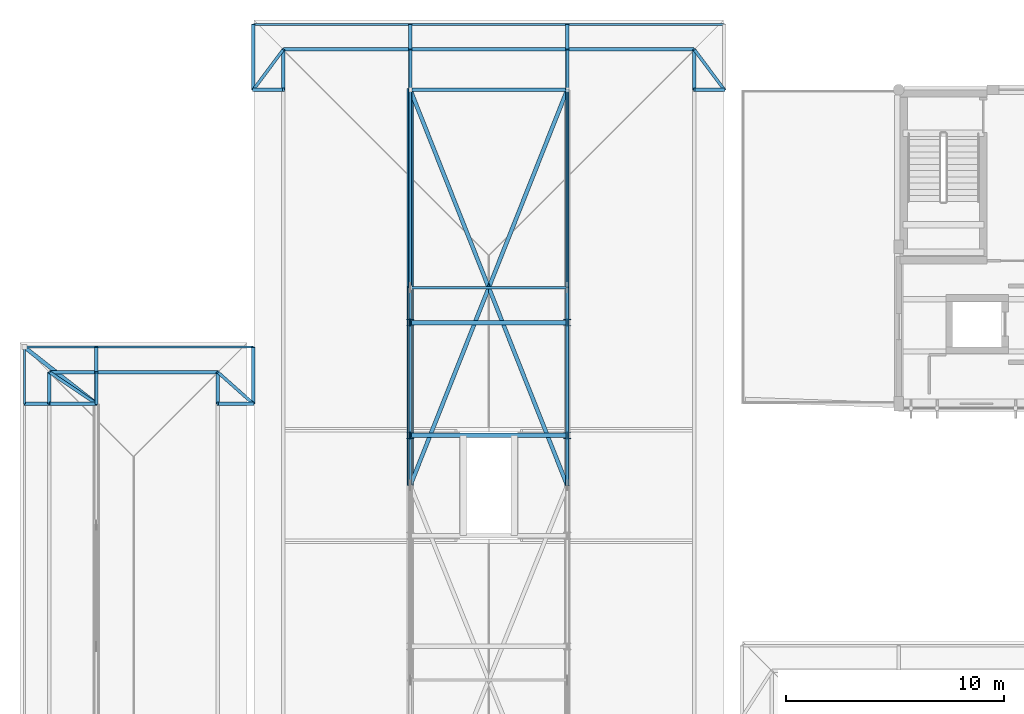
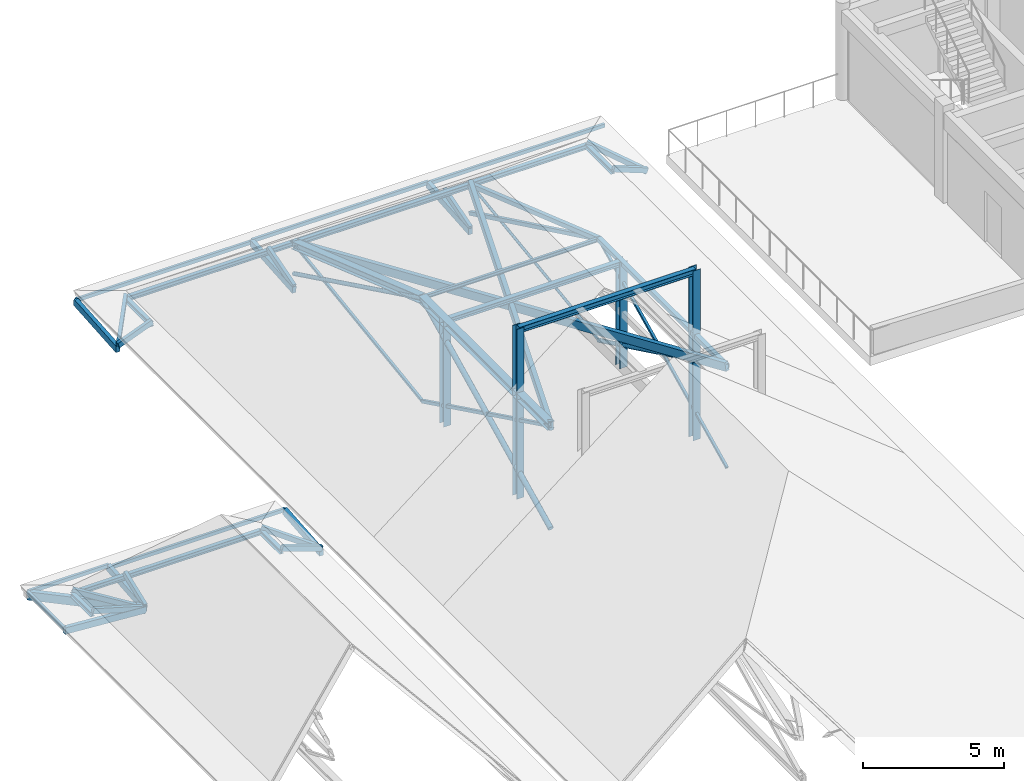
# One storey, part 11 of 51: 53 members, 2 beams.
"""IFC4 building model written with IfcOpenShell, lengths in metres."""

from ifc_helpers import new_model, si_unit, direction, frame, origin, origin_2d, place, context, subcontext, project, spatial, rectangle, hollow_rectangle, hollow_circle, i_section, extrude, material, material_profile, profile_set, type_object, element, save


model = new_model("IFC4")

# Units and contexts
model_context = context("Model", 3, precision=1e-05, world=origin(), true_north=direction((0.0, 1.0)))
body_context = subcontext(model_context, "Body", "Model", "MODEL_VIEW")
ifc_project = project(units=[si_unit("LENGTHUNIT", "METRE"), si_unit("AREAUNIT", "SQUARE_METRE"), si_unit("VOLUMEUNIT", "CUBIC_METRE"), si_unit("PLANEANGLEUNIT", "RADIAN"), si_unit("MASSUNIT", "GRAM", prefix="KILO")], contexts=[model_context])

# Site, building, storey
site_placement = place(None, origin())
site = spatial("IfcSite", under=ifc_project, at=site_placement, CompositionType="ELEMENT")
building_placement = place(site_placement, origin())
building = spatial("IfcBuilding", under=site, at=building_placement, Name="Steenspoor Specialist Clinic", CompositionType="ELEMENT")
storey_placement = place(building_placement, frame((0.0, 0.0, 17.39990234375)))
storey = spatial("IfcBuildingStorey", under=building, at=storey_placement, Name="L04", CompositionType="ELEMENT", Elevation=17.39990234375)

# Beams
ifc_material_1 = material(Name="Steel A992 Grade 50", Category="steel")
ifc_material_profile_1 = material_profile(ifc_material_1, i_section(OverallWidth=0.2041015625, OverallDepth=0.2060546875, WebThickness=0.0078125, FlangeThickness=0.0126953125, at=origin_2d()), Name="W200X52")
ifc_profile_set_1 = profile_set([ifc_material_profile_1], Name="Steel A992 Grade 50")
beam_type_1 = type_object("IfcBeamType", Name="BM-ST-W200X52", PredefinedType="JOIST", material=ifc_profile_set_1)
beam_1_placement = place(storey_placement, frame((37.199951171875, 97.674072265625, 4.6484375), z_axis=(1.0, 0.0, 0.0), x_axis=(0.0, 1.0, 0.0)))
element("IfcBeam", 1, at=beam_1_placement, inside=storey, type_object=beam_type_1, Name="Roof Sub-Facet Bearer V5 M N", PredefinedType="JOIST", context=body_context, shape_type="SweptSolid", body=[
    extrude(i_section(OverallWidth=0.2041015625, OverallDepth=0.2060546875, WebThickness=0.0078125, FlangeThickness=0.0126953125, at=origin_2d()), origin(), (0.0, 0.0, 1.0), 7.199951171875),
])
ifc_material_profile_2 = material_profile(ifc_material_1, i_section(OverallWidth=0.202880859375, OverallDepth=0.251953125, WebThickness=0.008056640625, FlangeThickness=0.013427734375, at=origin_2d()), Name="W250X58")
ifc_profile_set_2 = profile_set([ifc_material_profile_2], Name="Steel A992 Grade 50")
beam_type_2 = type_object("IfcBeamType", Name="BM-ST-W250X58", PredefinedType="JOIST", material=ifc_profile_set_2)
beam_2_placement = place(storey_placement, frame((37.199951171875, 92.5, 7.4140625), z_axis=(1.0, 0.0, 0.0), x_axis=(0.0, 1.0, 0.0)))
element("IfcBeam", 2, at=beam_2_placement, inside=storey, type_object=beam_type_2, Name="Roof Curb Trimmer Beam V5 2", PredefinedType="JOIST", context=body_context, shape_type="SweptSolid", body=[
    extrude(i_section(OverallWidth=0.202880859375, OverallDepth=0.251953125, WebThickness=0.008056640625, FlangeThickness=0.013427734375, at=origin_2d()), origin(), (0.0, 0.0, 1.0), 7.199951171875),
])

# Members
ifc_material_2 = material(Name="Steel A500 Grade C", Category="steel")
ifc_material_profile_3 = material_profile(ifc_material_2, hollow_circle(Radius=0.084228515625, WallThickness=0.007080078125, at=origin_2d()), Name="CHS168X7.1")
ifc_profile_set_3 = profile_set([ifc_material_profile_3], Name="Steel A500 Grade C")
member_type_1 = type_object("IfcMemberType", Name="MEM-BRACE-CHS168", PredefinedType="BRACE", material=ifc_profile_set_3)
member_1_placement = place(storey_placement, frame((37.199951171875, 99.27490234375, 4.630859375), z_axis=(0.0, 0.898479501185, -0.439015473475), x_axis=(-1.0, 0.0, 0.0)))
element("IfcMember", 3, at=member_1_placement, inside=storey, type_object=member_type_1, Name="ROOF TRUSS Web Brace V5 2.4", PredefinedType="BRACE", context=body_context, shape_type="SweptSolid", body=[
    extrude(hollow_circle(Radius=0.084228515625, WallThickness=0.007080078125, at=origin_2d()), origin(), (0.0, 0.0, 1.0), 10.1005859375),
])
member_2_placement = place(storey_placement, frame((44.39990234375, 90.199951171875, 4.681884765625), z_axis=(0.0, 0.900519581243, -0.434815459475), x_axis=(-1.0, 0.0, 0.0)))
element("IfcMember", 4, at=member_2_placement, inside=storey, type_object=member_type_1, Name="ROOF TRUSS Web Brace V5 3.3", PredefinedType="BRACE", context=body_context, shape_type="SweptSolid", body=[
    extrude(hollow_circle(Radius=0.084228515625, WallThickness=0.007080078125, at=origin_2d()), origin(), (0.0, 0.0, 1.0), 10.077392578125),
])
ifc_material_profile_4 = material_profile(ifc_material_2, hollow_rectangle(XDim=0.126953125, YDim=0.126953125, WallThickness=0.005859375, at=origin_2d()), Name="HSS127X127X6.4")
ifc_profile_set_4 = profile_set([ifc_material_profile_4], Name="Steel A500 Grade C")
member_type_2 = type_object("IfcMemberType", Name="MEM-BRACE-H127B", PredefinedType="BRACE", material=ifc_profile_set_4)
member_3_placement = place(storey_placement, frame((37.199951171875, 90.199951171875, 4.630859375), z_axis=(0.0, 0.898474842471, -0.439025007769), x_axis=(-1.0, 0.0, 0.0)))
element("IfcMember", 5, at=member_3_placement, inside=storey, type_object=member_type_2, Name="ROOF TRUSS Web Brace V5 2.3", PredefinedType="BRACE", context=body_context, shape_type="SweptSolid", body=[
    extrude(hollow_rectangle(XDim=0.126953125, YDim=0.126953125, WallThickness=0.005859375, at=origin_2d()), origin(), (0.0, 0.0, 1.0), 10.100341796875),
])
ifc_material_profile_5 = material_profile(ifc_material_2, hollow_rectangle(XDim=0.15234375, YDim=0.15234375, WallThickness=0.0087890625, at=origin_2d()), Name="HSS152X152X9.5")
ifc_profile_set_5 = profile_set([ifc_material_profile_5], Name="Steel A500 Grade C")
member_type_3 = type_object("IfcMemberType", Name="MEM-BRACE-H152", PredefinedType="BRACE", material=ifc_profile_set_5)
member_4_placement = place(storey_placement, frame((44.39990234375, 99.27490234375, 4.681884765625), z_axis=(0.0, 0.900524161445, -0.434805973572), x_axis=(-1.0, 0.0, 0.0)))
element("IfcMember", 6, at=member_4_placement, inside=storey, type_object=member_type_3, Name="ROOF TRUSS Web Brace V5 3.4", PredefinedType="BRACE", context=body_context, shape_type="SweptSolid", body=[
    extrude(hollow_rectangle(XDim=0.15234375, YDim=0.15234375, WallThickness=0.0087890625, at=origin_2d()), origin(), (0.0, 0.0, 1.0), 10.07763671875),
])
ifc_material_profile_6 = material_profile(ifc_material_2, hollow_rectangle(XDim=0.177734375, YDim=0.177734375, WallThickness=0.0087890625, at=origin_2d()), Name="HSS178X178X9.5")
ifc_profile_set_6 = profile_set([ifc_material_profile_6], Name="Steel A500 Grade C")
member_type_4 = type_object("IfcMemberType", Name="MEM-CHORD-H178", PredefinedType="CHORD", material=ifc_profile_set_6)
member_5_placement = place(storey_placement, frame((44.39990234375, 90.199951171875, 4.681884765625), z_axis=(0.0, 1.0, 0.0), x_axis=(-1.0, 0.0, 0.0)))
element("IfcMember", 7, at=member_5_placement, inside=storey, type_object=member_type_4, Name="ROOF TRUSS Top Chord V5 3.3", PredefinedType="CHORD", context=body_context, shape_type="SweptSolid", body=[
    extrude(hollow_rectangle(XDim=0.177734375, YDim=0.177734375, WallThickness=0.0087890625, at=origin_2d()), origin(), (0.0, 0.0, 1.0), 9.074951171875),
])
member_6_placement = place(storey_placement, frame((44.39990234375, 99.27490234375, 4.681884765625), z_axis=(0.0, 0.944854237259, -0.327491175962), x_axis=(-1.0, 0.0, 0.0)))
element("IfcMember", 8, at=member_6_placement, inside=storey, type_object=member_type_4, Name="ROOF TRUSS Top Chord V5 3.4", PredefinedType="CHORD", context=body_context, shape_type="SweptSolid", body=[
    extrude(hollow_rectangle(XDim=0.177734375, YDim=0.177734375, WallThickness=0.0087890625, at=origin_2d()), origin(), (0.0, 0.0, 1.0), 9.60498046875),
])
ifc_material_profile_7 = material_profile(ifc_material_1, i_section(OverallWidth=0.304931640625, OverallDepth=0.30810546875, WebThickness=0.010009765625, FlangeThickness=0.015380859375, at=origin_2d()), Name="W310X97")
ifc_profile_set_7 = profile_set([ifc_material_profile_7], Name="Steel A992 Grade 50")
member_type_5 = type_object("IfcMemberType", Name="MEM-CHORD-W310", PredefinedType="CHORD", material=ifc_profile_set_7)
member_7_placement = place(storey_placement, frame((37.199951171875, 90.199951171875, 4.630859375), z_axis=(0.0, 1.0, 0.0), x_axis=(-1.0, 0.0, 0.0)))
element("IfcMember", 9, at=member_7_placement, inside=storey, type_object=member_type_5, Name="ROOF TRUSS Top Chord V5 2.3", PredefinedType="CHORD", context=body_context, shape_type="SweptSolid", body=[
    extrude(i_section(OverallWidth=0.304931640625, OverallDepth=0.30810546875, WebThickness=0.010009765625, FlangeThickness=0.015380859375, at=origin_2d()), origin(), (0.0, 0.0, 1.0), 9.074951171875),
])
member_8_placement = place(storey_placement, frame((37.199951171875, 99.27490234375, 4.630859375), z_axis=(0.0, 0.944854237259, -0.327491175962), x_axis=(-1.0, 0.0, 0.0)))
element("IfcMember", 10, at=member_8_placement, inside=storey, type_object=member_type_5, Name="ROOF TRUSS Top Chord V5 2.4", PredefinedType="CHORD", context=body_context, shape_type="SweptSolid", body=[
    extrude(i_section(OverallWidth=0.304931640625, OverallDepth=0.30810546875, WebThickness=0.010009765625, FlangeThickness=0.015380859375, at=origin_2d()), origin(), (0.0, 0.0, 1.0), 9.60498046875),
])
for number, where, z_axis, x_axis, name in (
    (11, (37.199951171875, 92.5, 0.2001953125), (0.0, 0.0, 1.0), (1.0, 0.0, 0.0), "ROOF TRUSS Web Post Curb V5 2L"),
    (12, (44.39990234375, 92.5, 0.2001953125), (0.0, 0.0, 1.0), (1.0, 0.0, 0.0), "ROOF TRUSS Web Post Curb V5 2R"),
):
    element("IfcMember", number, at=place(storey_placement, frame(where, z_axis=z_axis, x_axis=x_axis)), inside=storey, type_object=member_type_5, Name=name, PredefinedType="CHORD", context=body_context, shape_type="SweptSolid", body=[
        extrude(i_section(OverallWidth=0.304931640625, OverallDepth=0.30810546875, WebThickness=0.010009765625, FlangeThickness=0.015380859375, at=origin_2d()), origin(), (0.0, 0.0, 1.0), 7.333984375),
    ])
member_9_placement = place(storey_placement, frame((37.199951171875, 97.674072265625, 0.18017578125), z_axis=(0.0, 0.0, 1.0), x_axis=(1.0, 0.0, 0.0)))
element("IfcMember", 13, at=member_9_placement, inside=storey, type_object=member_type_5, Name="ROOF TRUSS Web Post Sub-Facet V5 MNL", PredefinedType="CHORD", context=body_context, shape_type="SweptSolid", body=[
    extrude(i_section(OverallWidth=0.304931640625, OverallDepth=0.30810546875, WebThickness=0.010009765625, FlangeThickness=0.015380859375, at=origin_2d()), origin(), (0.0, 0.0, 1.0), 4.54833984375),
])
member_10_placement = place(storey_placement, frame((44.39990234375, 97.674072265625, 0.18017578125), z_axis=(0.0, 0.0, 1.0), x_axis=(1.0, 0.0, 0.0)))
element("IfcMember", 14, at=member_10_placement, inside=storey, type_object=member_type_5, Name="ROOF TRUSS Web Post Sub-Facet V5 MNR", PredefinedType="CHORD", context=body_context, shape_type="SweptSolid", body=[
    extrude(i_section(OverallWidth=0.304931640625, OverallDepth=0.30810546875, WebThickness=0.010009765625, FlangeThickness=0.015380859375, at=origin_2d()), origin(), (0.0, 0.0, 1.0), 4.58154296875),
])
ifc_material_profile_8 = material_profile(ifc_material_2, hollow_rectangle(XDim=0.1015625, YDim=0.15234375, WallThickness=0.005859375, at=origin_2d()), Name="HSS152X102X6.4")
ifc_profile_set_8 = profile_set([ifc_material_profile_8], Name="Steel A500 Grade C")
member_type_6 = type_object("IfcMemberType", Name="MEM-PURLIN-H152", PredefinedType="PURLIN", material=ifc_profile_set_8)
for number, where, z_axis, x_axis, name in (
    (15, (30.0, 111.35009765625, -0.2431640625), (1.0, 0.0, 0.0), (0.0, 1.0, 0.0), "ROOF TRUSS Eave Fascia 428"),
    (16, (37.199951171875, 111.35009765625, -0.19482421875), (1.0, 0.0, 0.0), (0.0, 1.0, 0.0), "ROOF TRUSS Eave Fascia 429"),
):
    element("IfcMember", number, at=place(storey_placement, frame(where, z_axis=z_axis, x_axis=x_axis)), inside=storey, type_object=member_type_6, Name=name, PredefinedType="PURLIN", context=body_context, shape_type="SweptSolid", body=[
        extrude(hollow_rectangle(XDim=0.1015625, YDim=0.15234375, WallThickness=0.005859375, at=origin_2d()), origin(), (0.0, 0.0, 1.0), 7.199951171875),
    ])
member_11_placement = place(storey_placement, frame((44.39990234375, 111.35009765625, -0.2431640625), z_axis=(1.0, 0.0, 0.0), x_axis=(0.0, 1.0, 0.0)))
element("IfcMember", 17, at=member_11_placement, inside=storey, type_object=member_type_6, Name="ROOF TRUSS Eave Fascia 430", PredefinedType="PURLIN", context=body_context, shape_type="SweptSolid", body=[
    extrude(hollow_rectangle(XDim=0.1015625, YDim=0.15234375, WallThickness=0.005859375, at=origin_2d()), origin(), (0.0, 0.0, 1.0), 7.2001953125),
])
member_12_placement = place(storey_placement, frame((19.5, 96.550048828125, -0.19482421875), z_axis=(1.0, 0.0, 0.0), x_axis=(0.0, 1.0, 0.0)))
element("IfcMember", 18, at=member_12_placement, inside=storey, type_object=member_type_6, Name="ROOF TRUSS Eave Fascia 453", PredefinedType="PURLIN", context=body_context, shape_type="SweptSolid", body=[
    extrude(hollow_rectangle(XDim=0.1015625, YDim=0.15234375, WallThickness=0.005859375, at=origin_2d()), origin(), (0.0, 0.0, 1.0), 3.300048828125),
])
member_13_placement = place(storey_placement, frame((22.800048828125, 96.550048828125, -0.305419921875), z_axis=(1.0, 0.0, 0.0), x_axis=(0.0, 1.0, 0.0)))
element("IfcMember", 19, at=member_13_placement, inside=storey, type_object=member_type_6, Name="ROOF TRUSS Eave Fascia 454", PredefinedType="PURLIN", context=body_context, shape_type="SweptSolid", body=[
    extrude(hollow_rectangle(XDim=0.1015625, YDim=0.15234375, WallThickness=0.005859375, at=origin_2d()), origin(), (0.0, 0.0, 1.0), 7.199951171875),
])
member_14_placement = place(storey_placement, frame((19.5, 93.949951171875, -0.19482421875), z_axis=(0.0, 1.0, 0.0), x_axis=(-1.0, 0.0, 0.0)))
element("IfcMember", 20, at=member_14_placement, inside=storey, type_object=member_type_6, Name="ROOF TRUSS Eave Fascia 457", PredefinedType="PURLIN", context=body_context, shape_type="SweptSolid", body=[
    extrude(hollow_rectangle(XDim=0.1015625, YDim=0.15234375, WallThickness=0.005859375, at=origin_2d()), origin(), (0.0, 0.0, 1.0), 2.60009765625),
])
ifc_material_profile_9 = material_profile(ifc_material_1, i_section(OverallWidth=0.10205078125, OverallDepth=0.159912109375, WebThickness=0.006591796875, FlangeThickness=0.01025390625, at=origin_2d()), Name="W150X24")
ifc_profile_set_9 = profile_set([ifc_material_profile_9], Name="Steel A992 Grade 50")
member_type_7 = type_object("IfcMemberType", Name="MEM-PURLIN-W150", PredefinedType="PURLIN", material=ifc_profile_set_9)
member_15_placement = place(storey_placement, frame((37.199951171875, 99.27490234375, 4.67138671875), z_axis=(1.0, 0.0, 0.0), x_axis=(0.0, 1.0, 0.0)))
element("IfcMember", 21, at=member_15_placement, inside=storey, type_object=member_type_7, Name="ROOF TRUSS Purlin 445", PredefinedType="PURLIN", context=body_context, shape_type="SweptSolid", body=[
    extrude(i_section(OverallWidth=0.10205078125, OverallDepth=0.159912109375, WebThickness=0.006591796875, FlangeThickness=0.01025390625, at=origin_2d()), origin(), (0.0, 0.0, 1.0), 7.199951171875),
])
ifc_material_profile_10 = material_profile(ifc_material_1, i_section(OverallWidth=0.1650390625, OverallDepth=0.200927734375, WebThickness=0.006103515625, FlangeThickness=0.01025390625, at=origin_2d()), Name="W200X36")
ifc_profile_set_10 = profile_set([ifc_material_profile_10], Name="Steel A992 Grade 50")
member_type_8 = type_object("IfcMemberType", Name="MEM-PURLIN-W200", PredefinedType="PURLIN", material=ifc_profile_set_10)
member_16_placement = place(storey_placement, frame((31.3798828125, 110.199951171875, 0.041748046875), z_axis=(1.0, 0.0, 0.0), x_axis=(0.0, 1.0, 0.0)))
element("IfcMember", 22, at=member_16_placement, inside=storey, type_object=member_type_8, Name="ROOF TRUSS Knuckle Purlin 432", PredefinedType="PURLIN", context=body_context, shape_type="SweptSolid", body=[
    extrude(i_section(OverallWidth=0.1650390625, OverallDepth=0.200927734375, WebThickness=0.006103515625, FlangeThickness=0.01025390625, at=origin_2d()), origin(), (0.0, 0.0, 1.0), 5.820068359375),
])
member_17_placement = place(storey_placement, frame((37.199951171875, 110.199951171875, 0.041748046875), z_axis=(1.0, 0.0, 0.0), x_axis=(0.0, 1.0, 0.0)))
element("IfcMember", 23, at=member_17_placement, inside=storey, type_object=member_type_8, Name="ROOF TRUSS Knuckle Purlin 434", PredefinedType="PURLIN", context=body_context, shape_type="SweptSolid", body=[
    extrude(i_section(OverallWidth=0.1650390625, OverallDepth=0.200927734375, WebThickness=0.006103515625, FlangeThickness=0.01025390625, at=origin_2d()), origin(), (0.0, 0.0, 1.0), 7.199951171875),
])
member_18_placement = place(storey_placement, frame((44.39990234375, 110.199951171875, 0.041748046875), z_axis=(1.0, 0.0, 0.0), x_axis=(0.0, 1.0, 0.0)))
element("IfcMember", 24, at=member_18_placement, inside=storey, type_object=member_type_8, Name="ROOF TRUSS Knuckle Purlin 436", PredefinedType="PURLIN", context=body_context, shape_type="SweptSolid", body=[
    extrude(i_section(OverallWidth=0.1650390625, OverallDepth=0.200927734375, WebThickness=0.006103515625, FlangeThickness=0.01025390625, at=origin_2d()), origin(), (0.0, 0.0, 1.0), 5.820068359375),
])
for number, where, z_axis, x_axis, name in (
    (25, (31.3798828125, 108.35009765625, 0.041748046875), (0.0, 1.0, 0.0), (-1.0, 0.0, 0.0), "ROOF TRUSS Knuckle Purlin 439"),
    (26, (50.219970703125, 108.35009765625, 0.041748046875), (0.0, 1.0, 0.0), (-1.0, 0.0, 0.0), "ROOF TRUSS Knuckle Purlin 442"),
):
    element("IfcMember", number, at=place(storey_placement, frame(where, z_axis=z_axis, x_axis=x_axis)), inside=storey, type_object=member_type_8, Name=name, PredefinedType="PURLIN", context=body_context, shape_type="SweptSolid", body=[
        extrude(i_section(OverallWidth=0.1650390625, OverallDepth=0.200927734375, WebThickness=0.006103515625, FlangeThickness=0.01025390625, at=origin_2d()), origin(), (0.0, 0.0, 1.0), 1.849853515625),
    ])
member_19_placement = place(storey_placement, frame((37.199951171875, 108.35009765625, 1.505615234375), z_axis=(1.0, 0.0, 0.0), x_axis=(0.0, 1.0, 0.0)))
element("IfcMember", 27, at=member_19_placement, inside=storey, type_object=member_type_8, Name="ROOF TRUSS Purlin 446", PredefinedType="PURLIN", context=body_context, shape_type="SweptSolid", body=[
    extrude(i_section(OverallWidth=0.1650390625, OverallDepth=0.200927734375, WebThickness=0.006103515625, FlangeThickness=0.01025390625, at=origin_2d()), origin(), (0.0, 0.0, 1.0), 7.199951171875),
])
member_20_placement = place(storey_placement, frame((20.64990234375, 95.39990234375, 0.015380859375), z_axis=(1.0, 0.0, 0.0), x_axis=(0.0, 1.0, 0.0)))
element("IfcMember", 28, at=member_20_placement, inside=storey, type_object=member_type_8, Name="ROOF TRUSS Knuckle Purlin 459", PredefinedType="PURLIN", context=body_context, shape_type="SweptSolid", body=[
    extrude(i_section(OverallWidth=0.1650390625, OverallDepth=0.200927734375, WebThickness=0.006103515625, FlangeThickness=0.01025390625, at=origin_2d()), origin(), (0.0, 0.0, 1.0), 2.150146484375),
])
member_21_placement = place(storey_placement, frame((22.800048828125, 95.39990234375, 0.015380859375), z_axis=(1.0, 0.0, 0.0), x_axis=(0.0, 1.0, 0.0)))
element("IfcMember", 29, at=member_21_placement, inside=storey, type_object=member_type_8, Name="ROOF TRUSS Knuckle Purlin 461", PredefinedType="PURLIN", context=body_context, shape_type="SweptSolid", body=[
    extrude(i_section(OverallWidth=0.1650390625, OverallDepth=0.200927734375, WebThickness=0.006103515625, FlangeThickness=0.01025390625, at=origin_2d()), origin(), (0.0, 0.0, 1.0), 5.570068359375),
])
for number, where, z_axis, x_axis, name in (
    (30, (20.64990234375, 93.949951171875, 0.015380859375), (0.0, 1.0, 0.0), (-1.0, 0.0, 0.0), "ROOF TRUSS Knuckle Purlin 464"),
    (31, (28.3701171875, 93.949951171875, 0.015380859375), (0.0, 1.0, 0.0), (-1.0, 0.0, 0.0), "ROOF TRUSS Knuckle Purlin 467"),
):
    element("IfcMember", number, at=place(storey_placement, frame(where, z_axis=z_axis, x_axis=x_axis)), inside=storey, type_object=member_type_8, Name=name, PredefinedType="PURLIN", context=body_context, shape_type="SweptSolid", body=[
        extrude(i_section(OverallWidth=0.1650390625, OverallDepth=0.200927734375, WebThickness=0.006103515625, FlangeThickness=0.01025390625, at=origin_2d()), origin(), (0.0, 0.0, 1.0), 1.449951171875),
    ])
ifc_material_3 = material(Name="Glulam GL28h", Category="wood")
ifc_material_profile_11 = material_profile(ifc_material_3, rectangle(XDim=0.139892578125, YDim=0.219970703125, at=origin_2d()), Name="GL28H-140X220")
ifc_profile_set_11 = profile_set([ifc_material_profile_11], Name="Glulam GL28h")
member_type_9 = type_object("IfcMemberType", Name="MEM-RAFTER-GL220", PredefinedType="RAFTER", material=ifc_profile_set_11)
for number, where, z_axis, x_axis, name in (
    (32, (37.199951171875, 108.35009765625, -0.365234375), (0.0, 0.959657419962, 0.281171898154), (-1.0, 0.0, 0.0), "ROOF TRUSS Knuckle Rafter V5 277"),
    (33, (44.39990234375, 108.35009765625, -0.365234375), (0.0, 0.959657419962, 0.281171898154), (-1.0, 0.0, 0.0), "ROOF TRUSS Knuckle Rafter V5 281"),
):
    element("IfcMember", number, at=place(storey_placement, frame(where, z_axis=z_axis, x_axis=x_axis)), inside=storey, type_object=member_type_9, Name=name, PredefinedType="RAFTER", context=body_context, shape_type="SweptSolid", body=[
        extrude(rectangle(XDim=0.139892578125, YDim=0.219970703125, at=origin_2d()), origin(), (0.0, 0.0, 1.0), 1.927734375),
    ])
member_22_placement = place(storey_placement, frame((30.0, 108.35009765625, -0.358154296875), z_axis=(0.932394214895, 0.0, 0.361442980332), x_axis=(0.0, 1.0, 0.0)))
element("IfcMember", 34, at=member_22_placement, inside=storey, type_object=member_type_9, Name="ROOF TRUSS Knuckle Rafter V5 285", PredefinedType="RAFTER", context=body_context, shape_type="SweptSolid", body=[
    extrude(rectangle(XDim=0.139892578125, YDim=0.219970703125, at=origin_2d()), origin(), (0.0, 0.0, 1.0), 1.47998046875),
])
member_23_placement = place(storey_placement, frame((51.60009765625, 108.35009765625, -0.358154296875), z_axis=(-0.932415761399, 0.0, 0.361387393105), x_axis=(0.0, -1.0, 0.0)))
element("IfcMember", 35, at=member_23_placement, inside=storey, type_object=member_type_9, Name="ROOF TRUSS Knuckle Rafter V5 287", PredefinedType="RAFTER", context=body_context, shape_type="SweptSolid", body=[
    extrude(rectangle(XDim=0.139892578125, YDim=0.219970703125, at=origin_2d()), origin(), (0.0, 0.0, 1.0), 1.480224609375),
])
for number, where, z_axis, x_axis, name in (
    (36, (30.0, 108.35009765625, -0.419921875), (0.578880938891, 0.776040494334, 0.250315820002), (-0.801558727837, 0.597916052492, 0.0), "ROOF TRUSS Corner Knuckle Rafter V5 289"),
    (37, (51.60009765625, 108.35009765625, -0.419921875), (-0.578949031935, 0.775994483456, 0.250300978958), (-0.801508027502, -0.597984014711, 0.0), "ROOF TRUSS Corner Knuckle Rafter V5 291"),
):
    element("IfcMember", number, at=place(storey_placement, frame(where, z_axis=z_axis, x_axis=x_axis)), inside=storey, type_object=member_type_9, Name=name, PredefinedType="RAFTER", context=body_context, shape_type="SweptSolid", body=[
        extrude(rectangle(XDim=0.139892578125, YDim=0.219970703125, at=origin_2d()), origin(), (0.0, 0.0, 1.0), 2.3837890625),
    ])
member_24_placement = place(storey_placement, frame((22.800048828125, 93.949951171875, -0.384521484375), z_axis=(0.0, 0.932566393024, 0.360998507756), x_axis=(-1.0, 0.0, 0.0)))
element("IfcMember", 38, at=member_24_placement, inside=storey, type_object=member_type_9, Name="ROOF TRUSS Knuckle Rafter V5W 295", PredefinedType="RAFTER", context=body_context, shape_type="SweptSolid", body=[
    extrude(rectangle(XDim=0.139892578125, YDim=0.219970703125, at=origin_2d()), origin(), (0.0, 0.0, 1.0), 1.5546875),
])
member_25_placement = place(storey_placement, frame((22.800048828125, 93.949951171875, -0.45751953125), z_axis=(-0.959138013425, 0.0, 0.282938635049), x_axis=(0.0, -1.0, 0.0)))
element("IfcMember", 39, at=member_25_placement, inside=storey, type_object=member_type_9, Name="ROOF TRUSS Knuckle Rafter V5W 300", PredefinedType="RAFTER", context=body_context, shape_type="SweptSolid", body=[
    extrude(rectangle(XDim=0.139892578125, YDim=0.219970703125, at=origin_2d()), origin(), (0.0, 0.0, 1.0), 2.24169921875),
])
member_26_placement = place(storey_placement, frame((30.0, 93.949951171875, -0.384521484375), z_axis=(-0.945506853672, 0.0, 0.325602195415), x_axis=(0.0, -1.0, 0.0)))
element("IfcMember", 40, at=member_26_placement, inside=storey, type_object=member_type_9, Name="ROOF TRUSS Knuckle Rafter V5W 302", PredefinedType="RAFTER", context=body_context, shape_type="SweptSolid", body=[
    extrude(rectangle(XDim=0.139892578125, YDim=0.219970703125, at=origin_2d()), origin(), (0.0, 0.0, 1.0), 1.723876953125),
])
member_27_placement = place(storey_placement, frame((22.800048828125, 93.949951171875, -0.5), z_axis=(-0.802232624442, 0.540985529301, 0.252502422499), x_axis=(-0.559102541456, -0.829098515339, 0.0)))
element("IfcMember", 41, at=member_27_placement, inside=storey, type_object=member_type_9, Name="ROOF TRUSS Corner Knuckle Rafter V5W 306", PredefinedType="RAFTER", context=body_context, shape_type="SweptSolid", body=[
    extrude(rectangle(XDim=0.139892578125, YDim=0.219970703125, at=origin_2d()), origin(), (0.0, 0.0, 1.0), 2.68017578125),
])
member_28_placement = place(storey_placement, frame((30.0, 93.949951171875, -0.4208984375), z_axis=(-0.720589894791, 0.641040051702, 0.264230686406), x_axis=(-0.664662482736, -0.747143750588, 0.0)))
element("IfcMember", 42, at=member_28_placement, inside=storey, type_object=member_type_9, Name="ROOF TRUSS Corner Knuckle Rafter V5W 308", PredefinedType="RAFTER", context=body_context, shape_type="SweptSolid", body=[
    extrude(rectangle(XDim=0.139892578125, YDim=0.219970703125, at=origin_2d()), origin(), (0.0, 0.0, 1.0), 2.261962890625),
])
ifc_material_profile_12 = material_profile(ifc_material_3, rectangle(XDim=0.159912109375, YDim=0.280029296875, at=origin_2d()), Name="GL28H-160X280")
ifc_profile_set_12 = profile_set([ifc_material_profile_12], Name="Glulam GL28h")
member_type_10 = type_object("IfcMemberType", Name="MEM-RAFTER-GL280", PredefinedType="RAFTER", material=ifc_profile_set_12)
for number, where, z_axis, x_axis, name in (
    (43, (30.0, 108.35009765625, -0.5400390625), (0.0, 0.996993561113, 0.077484444243), (-1.0, 0.0, 0.0), "ROOF TRUSS Flared Eave Glulam Outrigger V5 273"),
    (44, (37.199951171875, 108.35009765625, -0.5), (0.0, 0.996993561113, 0.077484444243), (-1.0, 0.0, 0.0), "ROOF TRUSS Flared Eave Glulam Outrigger V5 276"),
    (45, (44.39990234375, 108.35009765625, -0.5), (0.0, 0.996993561113, 0.077484444243), (-1.0, 0.0, 0.0), "ROOF TRUSS Flared Eave Glulam Outrigger V5 280"),
):
    element("IfcMember", number, at=place(storey_placement, frame(where, z_axis=z_axis, x_axis=x_axis)), inside=storey, type_object=member_type_10, Name=name, PredefinedType="RAFTER", context=body_context, shape_type="SweptSolid", body=[
        extrude(rectangle(XDim=0.159912109375, YDim=0.280029296875, at=origin_2d()), origin(), (0.0, 0.0, 1.0), 3.009033203125),
    ])
for number, where, z_axis, x_axis, name in (
    (46, (22.800048828125, 93.949951171875, -0.5), (0.0, 0.996003608476, 0.089312999633), (-1.0, 0.0, 0.0), "ROOF TRUSS Flared Eave Glulam Outrigger V5W 294"),
    (47, (30.0, 93.949951171875, -0.602294921875), (0.0, 0.996011923526, 0.089220223009), (-1.0, 0.0, 0.0), "ROOF TRUSS Flared Eave Glulam Outrigger V5W 296"),
):
    element("IfcMember", number, at=place(storey_placement, frame(where, z_axis=z_axis, x_axis=x_axis)), inside=storey, type_object=member_type_10, Name=name, PredefinedType="RAFTER", context=body_context, shape_type="SweptSolid", body=[
        extrude(rectangle(XDim=0.159912109375, YDim=0.280029296875, at=origin_2d()), origin(), (0.0, 0.0, 1.0), 2.610595703125),
    ])
member_29_placement = place(storey_placement, frame((22.800048828125, 93.949951171875, -0.5), z_axis=(-0.997513468668, 0.0, 0.070476093999), x_axis=(0.0, -1.0, 0.0)))
element("IfcMember", 48, at=member_29_placement, inside=storey, type_object=member_type_10, Name="ROOF TRUSS Flared Eave Glulam Outrigger V5W 299", PredefinedType="RAFTER", context=body_context, shape_type="SweptSolid", body=[
    extrude(rectangle(XDim=0.159912109375, YDim=0.280029296875, at=origin_2d()), origin(), (0.0, 0.0, 1.0), 3.308349609375),
])
ifc_material_profile_13 = material_profile(ifc_material_3, rectangle(XDim=0.179931640625, YDim=0.360107421875, at=origin_2d()), Name="GL28H-180X360")
ifc_profile_set_13 = profile_set([ifc_material_profile_13], Name="Glulam GL28h")
member_type_11 = type_object("IfcMemberType", Name="MEM-RAFTER-GL360", PredefinedType="RAFTER", material=ifc_profile_set_13)
member_30_placement = place(storey_placement, frame((37.199951171875, 108.35009765625, 1.4853515625), z_axis=(0.363891592763, -0.91732368115, 0.161555478758), x_axis=(0.929534387346, 0.368735437327, 0.0)))
element("IfcMember", 49, at=member_30_placement, inside=storey, type_object=member_type_11, Name="ROOF TRUSS Hip Rafter V5 448", PredefinedType="RAFTER", context=body_context, shape_type="SweptSolid", body=[
    extrude(rectangle(XDim=0.179931640625, YDim=0.360107421875, at=origin_2d()), origin(), (0.0, 0.0, 1.0), 19.785888671875),
])
member_31_placement = place(storey_placement, frame((44.39990234375, 108.35009765625, 1.536376953125), z_axis=(-0.364190336372, -0.918076775182, 0.156526144027), x_axis=(0.929534387346, -0.368735437327, 0.0)))
element("IfcMember", 50, at=member_31_placement, inside=storey, type_object=member_type_11, Name="ROOF TRUSS Hip Rafter V5 450", PredefinedType="RAFTER", context=body_context, shape_type="SweptSolid", body=[
    extrude(rectangle(XDim=0.179931640625, YDim=0.360107421875, at=origin_2d()), origin(), (0.0, 0.0, 1.0), 19.769775390625),
])
member_32_placement = place(storey_placement, frame((22.800048828125, 93.949951171875, -0.5), z_axis=(-0.784666756769, 0.618236366027, 0.045627585324), x_axis=(-0.618880918505, -0.785484823985, 0.0)))
element("IfcMember", 51, at=member_32_placement, inside=storey, type_object=member_type_11, Name="ROOF TRUSS Corner Hip Outrigger V5W 305", PredefinedType="RAFTER", context=body_context, shape_type="SweptSolid", body=[
    extrude(rectangle(XDim=0.179931640625, YDim=0.360107421875, at=origin_2d()), origin(), (0.0, 0.0, 1.0), 4.20556640625),
])
ifc_material_profile_14 = material_profile(ifc_material_2, hollow_circle(Radius=0.05712890625, WallThickness=0.006103515625, at=origin_2d()), Name="CHS114X6.0")
ifc_profile_set_14 = profile_set([ifc_material_profile_14], Name="Steel A500 Grade C")
member_type_12 = type_object("IfcMemberType", Name="MEM-STRUT-CHS114", PredefinedType="STRUT", material=ifc_profile_set_14)
member_33_placement = place(storey_placement, frame((44.39990234375, 99.27490234375, 0.300048828125), z_axis=(0.0, 0.990847677899, 0.134984736922), x_axis=(-1.0, 0.0, 0.0)))
element("IfcMember", 52, at=member_33_placement, inside=storey, type_object=member_type_12, Name="ROOF TRUSS Web Strut V5 3.4", PredefinedType="STRUT", context=body_context, shape_type="SweptSolid", body=[
    extrude(hollow_circle(Radius=0.05712890625, WallThickness=0.006103515625, at=origin_2d()), origin(), (0.0, 0.0, 1.0), 9.158935546875),
])
ifc_material_profile_15 = material_profile(ifc_material_2, hollow_circle(Radius=0.109619140625, WallThickness=0.00830078125, at=origin_2d()), Name="CHS219X8.2")
ifc_profile_set_15 = profile_set([ifc_material_profile_15], Name="Steel A500 Grade C")
member_type_13 = type_object("IfcMemberType", Name="MEM-STRUT-CHS219", PredefinedType="STRUT", material=ifc_profile_set_15)
member_34_placement = place(storey_placement, frame((37.199951171875, 90.199951171875, 0.196533203125), z_axis=(0.0, 0.898474842471, 0.439025007769), x_axis=(-1.0, 0.0, 0.0)))
element("IfcMember", 53, at=member_34_placement, inside=storey, type_object=member_type_13, Name="ROOF TRUSS Web Strut V5 2.3", PredefinedType="STRUT", context=body_context, shape_type="SweptSolid", body=[
    extrude(hollow_circle(Radius=0.109619140625, WallThickness=0.00830078125, at=origin_2d()), origin(), (0.0, 0.0, 1.0), 10.100341796875),
])
ifc_material_profile_16 = material_profile(ifc_material_2, hollow_rectangle(XDim=0.1015625, YDim=0.1015625, WallThickness=0.005859375, at=origin_2d()), Name="HSS102X102X6.4")
ifc_profile_set_16 = profile_set([ifc_material_profile_16], Name="Steel A500 Grade C")
member_type_14 = type_object("IfcMemberType", Name="MEM-STRUT-H102", PredefinedType="STRUT", material=ifc_profile_set_16)
member_35_placement = place(storey_placement, frame((37.199951171875, 99.27490234375, 0.196533203125), z_axis=(0.0, 0.990065816916, 0.140604687601), x_axis=(-1.0, 0.0, 0.0)))
element("IfcMember", 54, at=member_35_placement, inside=storey, type_object=member_type_14, Name="ROOF TRUSS Web Strut V5 2.4", PredefinedType="STRUT", context=body_context, shape_type="SweptSolid", body=[
    extrude(hollow_rectangle(XDim=0.1015625, YDim=0.1015625, WallThickness=0.005859375, at=origin_2d()), origin(), (0.0, 0.0, 1.0), 9.166259765625),
])
member_36_placement = place(storey_placement, frame((44.39990234375, 90.199951171875, 0.300048828125), z_axis=(0.0, 0.900519581243, 0.434815459475), x_axis=(-1.0, 0.0, 0.0)))
element("IfcMember", 55, at=member_36_placement, inside=storey, type_object=member_type_14, Name="ROOF TRUSS Web Strut V5 3.3", PredefinedType="STRUT", context=body_context, shape_type="SweptSolid", body=[
    extrude(hollow_rectangle(XDim=0.1015625, YDim=0.1015625, WallThickness=0.005859375, at=origin_2d()), origin(), (0.0, 0.0, 1.0), 10.077392578125),
])

save(model, "model.ifc")
